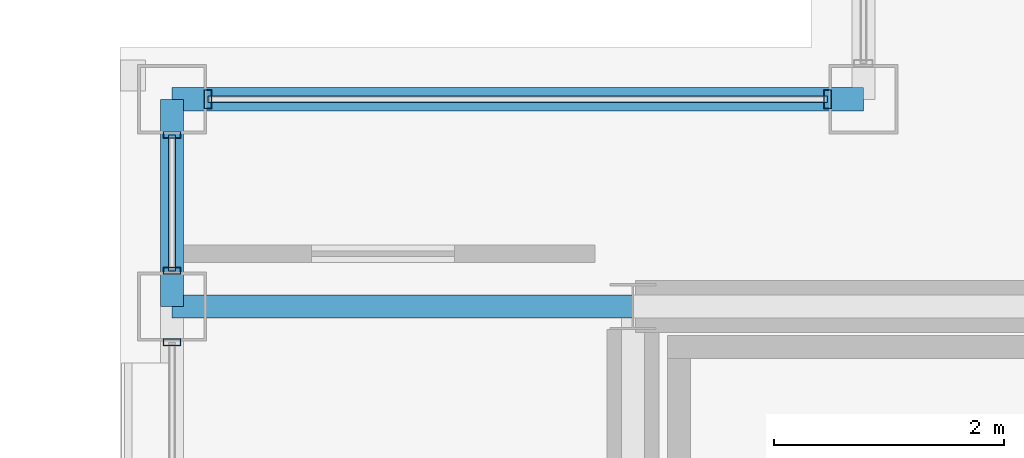
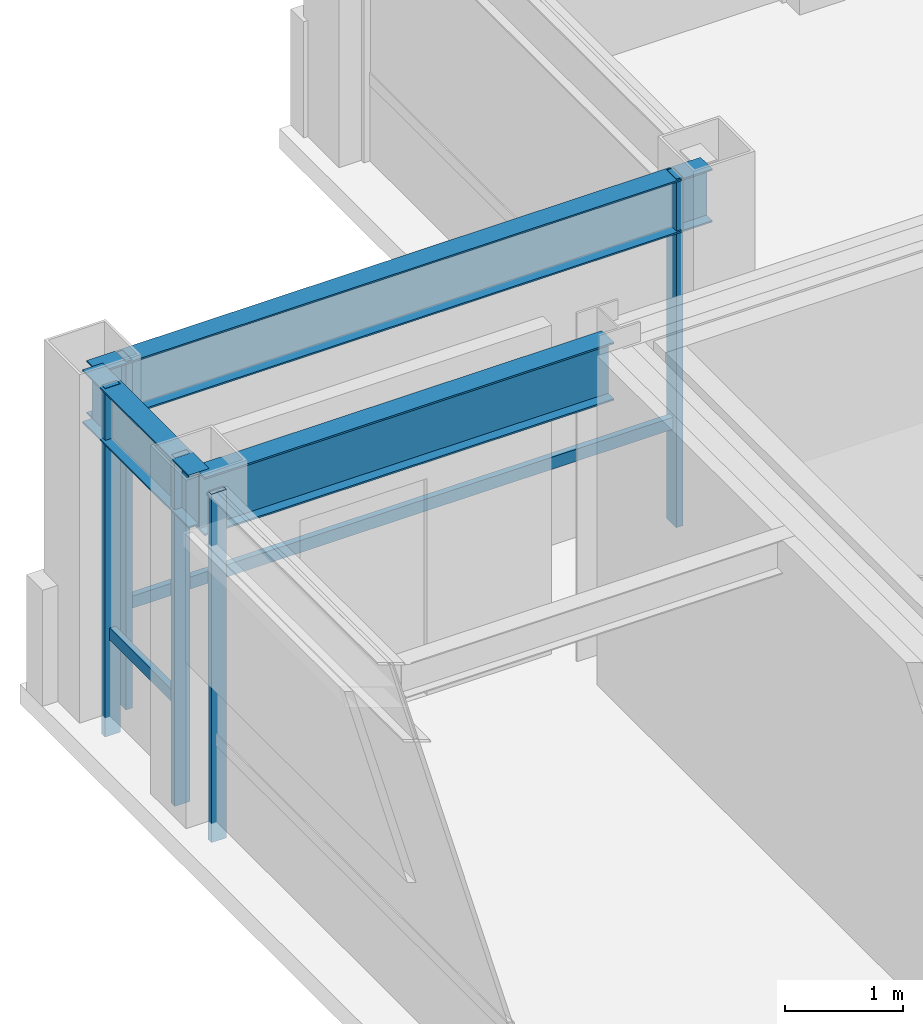
# One storey, part 11 of 27: 7 members, 3 beams, 3 elements without a shape of their own.
"""IFC4 building model written with IfcOpenShell, lengths in metres."""

from ifc_helpers import new_model, si_unit, direction, frame, origin, origin_2d, place, context, subcontext, project, spatial, hollow_rectangle, i_section, extrude, material, layer, layer_set, material_profile, profile_set, type_object, element, aggregate, save


model = new_model("IFC4")

# Units and contexts
model_context = context("Model", 3, precision=1e-05, world=origin(), true_north=direction((0.0, 1.0)))
body_context = subcontext(model_context, "Body", "Model", "MODEL_VIEW")
ifc_project = project(units=[si_unit("LENGTHUNIT", "METRE"), si_unit("AREAUNIT", "SQUARE_METRE"), si_unit("VOLUMEUNIT", "CUBIC_METRE"), si_unit("PLANEANGLEUNIT", "RADIAN"), si_unit("MASSUNIT", "GRAM", prefix="KILO")], contexts=[model_context])

# Site, building, storey
site_placement = place(None, origin())
site = spatial("IfcSite", under=ifc_project, at=site_placement, CompositionType="ELEMENT")
building_placement = place(site_placement, origin())
building = spatial("IfcBuilding", under=site, at=building_placement, Name="Brelmoor Portico Tower", CompositionType="ELEMENT")
storey_placement = place(building_placement, frame((0.0, 0.0, 250.800048828125)))
storey = spatial("IfcBuildingStorey", under=building, at=storey_placement, Name="L66", CompositionType="ELEMENT", Elevation=250.800048828125)

# Beams
ifc_material_1 = material(Name="Steel Q355B", Category="steel")
ifc_material_profile_1 = material_profile(ifc_material_1, i_section(OverallWidth=0.199951171875, OverallDepth=0.60009765625, WebThickness=0.010986328125, FlangeThickness=0.01708984375, at=origin_2d()), Name="HN 600x200x11x17")
ifc_profile_set_1 = profile_set([ifc_material_profile_1], Name="Steel Q355B")
beam_type_1 = type_object("IfcBeamType", Name="BM-PG-600", PredefinedType="BEAM", material=ifc_profile_set_1)
beam_1_placement = place(storey_placement, frame((-18.550048828125, 9.75, 3.099853515625), z_axis=(1.0, 0.0, 0.0), x_axis=(0.0, 1.0, 0.0)))
element("IfcBeam", 1, at=beam_1_placement, inside=storey, type_object=beam_type_1, Name="L66 Primary Floor Girder PG-19", PredefinedType="BEAM", context=body_context, shape_type="SweptSolid", body=[
    extrude(i_section(OverallWidth=0.199951171875, OverallDepth=0.60009765625, WebThickness=0.010986328125, FlangeThickness=0.01708984375, at=origin_2d()), origin(), (0.0, 0.0, 1.0), 4.0),
])
ifc_material_profile_2 = material_profile(ifc_material_1, i_section(OverallWidth=0.199951171875, OverallDepth=0.550048828125, WebThickness=0.010009765625, FlangeThickness=0.01611328125, at=origin_2d()), Name="HN 550x200x10x16")
ifc_profile_set_2 = profile_set([ifc_material_profile_2], Name="Steel Q355B")
beam_type_2 = type_object("IfcBeamType", Name="BM-SP-550", PredefinedType="SPANDREL", material=ifc_profile_set_2)
beam_2_placement = place(storey_placement, frame((-18.550048828125, 11.550048828125, 3.125), z_axis=(1.0, 0.0, 0.0), x_axis=(0.0, 1.0, 0.0)))
element("IfcBeam", 2, at=beam_2_placement, inside=storey, type_object=beam_type_2, Name="L66 Perimeter Spandrel Beam SP-06", PredefinedType="SPANDREL", context=body_context, shape_type="SweptSolid", body=[
    extrude(i_section(OverallWidth=0.199951171875, OverallDepth=0.550048828125, WebThickness=0.010009765625, FlangeThickness=0.01611328125, at=origin_2d()), origin(), (0.0, 0.0, 1.0), 6.0),
])
beam_3_placement = place(storey_placement, frame((-18.550048828125, 9.75, 3.125), z_axis=(0.0, 1.0, 0.0), x_axis=(-1.0, 0.0, 0.0)))
element("IfcBeam", 3, at=beam_3_placement, inside=storey, type_object=beam_type_2, Name="L66 Perimeter Spandrel Beam SP-13", PredefinedType="SPANDREL", context=body_context, shape_type="SweptSolid", body=[
    extrude(i_section(OverallWidth=0.199951171875, OverallDepth=0.550048828125, WebThickness=0.010009765625, FlangeThickness=0.01611328125, at=origin_2d()), origin(), (0.0, 0.0, 1.0), 1.800048828125),
])

# Curtain wall, member
ifc_material_2 = material(Name="Anodised Aluminium Alloy 6063-T6", Category="aluminium")
ifc_layer_1 = layer(ifc_material_2, 0.179931640625)
ifc_layer_set_1 = layer_set([ifc_layer_1], Name="Anodised Aluminium Alloy 6063-T6")
curtain_wall_type_1 = type_object("IfcCurtainWallType", Name="CW-TOWER-Z4", PredefinedType="NOTDEFINED", material=ifc_layer_set_1)
curtain_wall_1_placement = place(storey_placement, origin())
curtain_wall_1 = element("IfcCurtainWall", 4, at=curtain_wall_1_placement, inside=storey, type_object=curtain_wall_type_1, Name="L66 Curtain Wall CW-L66-3R-1", PredefinedType="NOTDEFINED")
ifc_material_profile_3 = material_profile(ifc_material_2, hollow_rectangle(XDim=0.06005859375, YDim=0.14990234375, WallThickness=0.00390625, at=origin_2d()), Name="ALU MULLION 60x150")
ifc_profile_set_3 = profile_set([ifc_material_profile_3], Name="Anodised Aluminium Alloy 6063-T6")
member_type_1 = type_object("IfcMemberType", Name="MB-CW-MULL-150", PredefinedType="MULLION", material=ifc_profile_set_3)
member_1_placement = place(storey_placement, frame((-18.550048828125, 9.43994140625, -0.199951171875), z_axis=(0.0, 0.0, 1.0), x_axis=(0.0, 1.0, 0.0)))
member_1 = element("IfcMember", 5, at=member_1_placement, type_object=member_type_1, Name="CW-L66-3R-1 Mullion 01", PredefinedType="MULLION", context=body_context, shape_type="SweptSolid", body=[
    extrude(hollow_rectangle(XDim=0.06005859375, YDim=0.14990234375, WallThickness=0.00390625, at=origin_2d()), origin(), (0.0, 0.0, 1.0), 3.599853515625),
])
aggregate(curtain_wall_1, [member_1])

# Curtain wall, members
curtain_wall_2_placement = place(storey_placement, origin())
curtain_wall_2 = element("IfcCurtainWall", 6, at=curtain_wall_2_placement, inside=storey, type_object=curtain_wall_type_1, Name="L66 Curtain Wall CW-L66-3R-2", PredefinedType="NOTDEFINED")
member_2_placement = place(storey_placement, frame((-18.550048828125, 10.06005859375, -0.199951171875), z_axis=(0.0, 0.0, 1.0), x_axis=(0.0, 1.0, 0.0)))
member_2 = element("IfcMember", 7, at=member_2_placement, type_object=member_type_1, Name="CW-L66-3R-2 Mullion 00", PredefinedType="MULLION", context=body_context, shape_type="SweptSolid", body=[
    extrude(hollow_rectangle(XDim=0.06005859375, YDim=0.14990234375, WallThickness=0.00390625, at=origin_2d()), origin(), (0.0, 0.0, 1.0), 3.599853515625),
])
member_3_placement = place(storey_placement, frame((-18.550048828125, 11.239990234375, -0.199951171875), z_axis=(0.0, 0.0, 1.0), x_axis=(0.0, 1.0, 0.0)))
member_3 = element("IfcMember", 8, at=member_3_placement, type_object=member_type_1, Name="CW-L66-3R-2 Mullion 01", PredefinedType="MULLION", context=body_context, shape_type="SweptSolid", body=[
    extrude(hollow_rectangle(XDim=0.06005859375, YDim=0.14990234375, WallThickness=0.00390625, at=origin_2d()), origin(), (0.0, 0.0, 1.0), 3.599853515625),
])

ifc_layer_2 = layer(ifc_material_2, 0.179931640625)
ifc_layer_set_2 = layer_set([ifc_layer_2], Name="Anodised Aluminium Alloy 6063-T6")
curtain_wall_type_2 = type_object("IfcCurtainWallType", Name="CW-NOTCH-CHAMFER", PredefinedType="NOTDEFINED", material=ifc_layer_set_2)
curtain_wall_3_placement = place(storey_placement, origin())
curtain_wall_3 = element("IfcCurtainWall", 9, at=curtain_wall_3_placement, inside=storey, type_object=curtain_wall_type_2, Name="L66 Curtain Wall CWN-L66-NWH", PredefinedType="NOTDEFINED")
ifc_material_profile_4 = material_profile(ifc_material_2, hollow_rectangle(XDim=0.06494140625, YDim=0.1650390625, WallThickness=0.00390625, at=origin_2d()), Name="ALU MULLION 65x165")
ifc_profile_set_4 = profile_set([ifc_material_profile_4], Name="Anodised Aluminium Alloy 6063-T6")
member_type_2 = type_object("IfcMemberType", Name="MB-CW-MULL-165", PredefinedType="MULLION", material=ifc_profile_set_4)
member_4_placement = place(storey_placement, frame((-18.239990234375, 11.550048828125, -0.199951171875), z_axis=(0.0, 0.0, 1.0), x_axis=(1.0, 0.0, 0.0)))
member_4 = element("IfcMember", 10, at=member_4_placement, type_object=member_type_2, Name="CWN-L66-NWH Mullion 00", PredefinedType="MULLION", context=body_context, shape_type="SweptSolid", body=[
    extrude(hollow_rectangle(XDim=0.06494140625, YDim=0.1650390625, WallThickness=0.00390625, at=origin_2d()), origin(), (0.0, 0.0, 1.0), 3.599853515625),
])
member_5_placement = place(storey_placement, frame((-12.860107421875, 11.550048828125, -0.199951171875), z_axis=(0.0, 0.0, 1.0), x_axis=(1.0, 0.0, 0.0)))
member_5 = element("IfcMember", 11, at=member_5_placement, type_object=member_type_2, Name="CWN-L66-NWH Mullion 01", PredefinedType="MULLION", context=body_context, shape_type="SweptSolid", body=[
    extrude(hollow_rectangle(XDim=0.06494140625, YDim=0.1650390625, WallThickness=0.00390625, at=origin_2d()), origin(), (0.0, 0.0, 1.0), 3.599853515625),
])

# Member
ifc_material_profile_5 = material_profile(ifc_material_2, hollow_rectangle(XDim=0.06005859375, YDim=0.125, WallThickness=0.00341796875, at=origin_2d()), Name="ALU TRANSOM 60x125")
ifc_profile_set_5 = profile_set([ifc_material_profile_5], Name="Anodised Aluminium Alloy 6063-T6")
member_type_3 = type_object("IfcMemberType", Name="MB-CW-TRAN-125", PredefinedType="USERDEFINED", material=ifc_profile_set_5)
member_6_placement = place(storey_placement, frame((-18.550048828125, 10.06005859375, 0.849853515625), z_axis=(0.0, 1.0, 0.0), x_axis=(-1.0, 0.0, 0.0)))
member_6 = element("IfcMember", 12, at=member_6_placement, type_object=member_type_3, Name="CW-L66-3R-2 Transom 1-00", ObjectType="TRANSOM", PredefinedType="USERDEFINED", context=body_context, shape_type="SweptSolid", body=[
    extrude(hollow_rectangle(XDim=0.06005859375, YDim=0.125, WallThickness=0.00341796875, at=origin_2d()), origin(), (0.0, 0.0, 1.0), 1.179931640625),
])

aggregate(curtain_wall_2, [member_2, member_3, member_6])

member_7_placement = place(storey_placement, frame((-18.239990234375, 11.550048828125, 0.849853515625), z_axis=(1.0, 0.0, 0.0), x_axis=(0.0, 1.0, 0.0)))
member_7 = element("IfcMember", 13, at=member_7_placement, type_object=member_type_3, Name="CWN-L66-NWH Transom 1-00", ObjectType="TRANSOM", PredefinedType="USERDEFINED", context=body_context, shape_type="SweptSolid", body=[
    extrude(hollow_rectangle(XDim=0.06005859375, YDim=0.125, WallThickness=0.00341796875, at=origin_2d()), origin(), (0.0, 0.0, 1.0), 5.3798828125),
])

aggregate(curtain_wall_3, [member_4, member_5, member_7])

save(model, "model.ifc")
